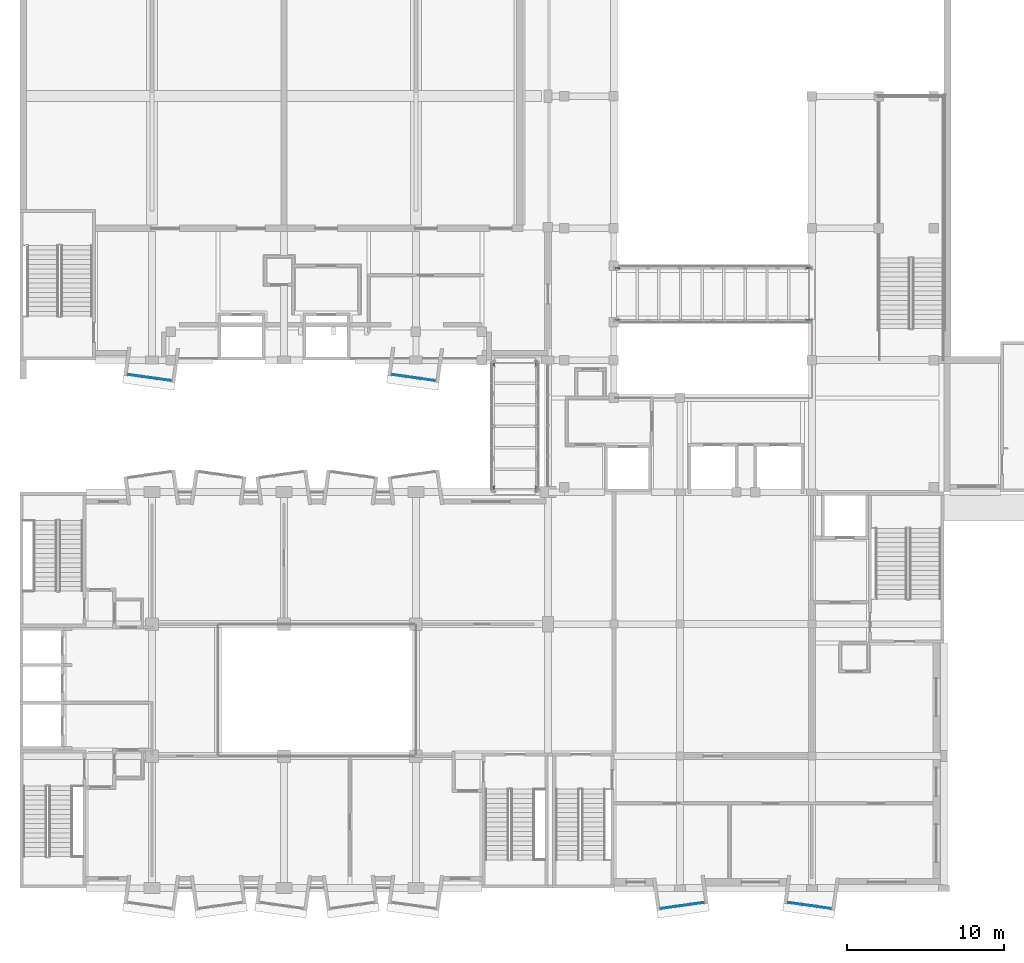
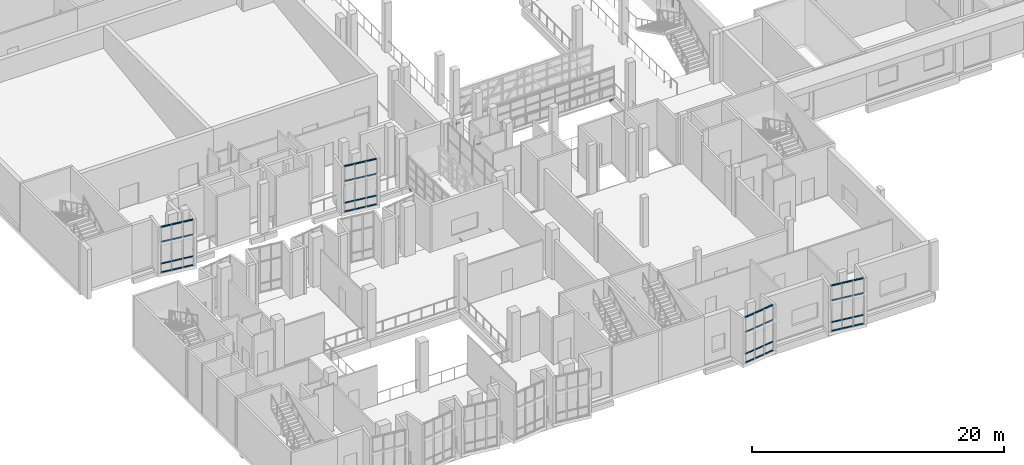
# One storey, part 27 of 86: 48 members, 8 beams, 4 elements without a shape of their own.
"""IFC4 building model written with IfcOpenShell, lengths in metres."""

from ifc_helpers import new_model, si_unit, direction, frame, origin, origin_2d, place, context, subcontext, project, spatial, rectangle, hollow_rectangle, extrude, material, layer, layer_set, material_profile, profile_set, type_object, element, aggregate, save


model = new_model("IFC4")

# Units and contexts
model_context = context("Model", 3, precision=1e-05, world=origin(), true_north=direction((0.0, 1.0)))
body_context = subcontext(model_context, "Body", "Model", "MODEL_VIEW")
ifc_project = project(units=[si_unit("LENGTHUNIT", "METRE"), si_unit("AREAUNIT", "SQUARE_METRE"), si_unit("VOLUMEUNIT", "CUBIC_METRE"), si_unit("PLANEANGLEUNIT", "RADIAN"), si_unit("MASSUNIT", "GRAM", prefix="KILO")], contexts=[model_context])

# Site, building, storey
site_placement = place(None, origin())
site = spatial("IfcSite", under=ifc_project, at=site_placement, CompositionType="ELEMENT")
building_placement = place(site_placement, origin())
building = spatial("IfcBuilding", under=site, at=building_placement, Name="Kiln Court Media Centre", CompositionType="ELEMENT")
storey_placement = place(building_placement, frame((0.0, 0.0, 10.199951171875)))
storey = spatial("IfcBuildingStorey", under=building, at=storey_placement, Name="L02", CompositionType="ELEMENT", Elevation=10.199951171875)

# Curtain wall, members
ifc_material_1 = material(Name="Aluminium 6063-T6", Category="aluminium")
ifc_layer = layer(ifc_material_1, 0.1201171875)
ifc_layer_set = layer_set([ifc_layer], Name="Aluminium unitised bay curtain wall")
curtain_wall_type = type_object("IfcCurtainWallType", Name="Aluminium unitised bay curtain wall", PredefinedType="USERDEFINED", material=ifc_layer_set)
curtain_wall_1_placement = place(storey_placement, origin())
curtain_wall_1 = element("IfcCurtainWall", 1, at=curtain_wall_1_placement, inside=storey, type_object=curtain_wall_type, Name="BAY V4-S-L02-10 front", ObjectType="UNITISED CURTAIN WALL", PredefinedType="USERDEFINED")
ifc_material_2 = material(Name="Aluminium 6063-T6", Category="aluminium")
ifc_material_profile_1 = material_profile(ifc_material_2, rectangle(XDim=0.06005859375, YDim=0.1201171875, at=origin_2d()), Name="Aluminium transom 60x120")
ifc_profile_set_1 = profile_set([ifc_material_profile_1], Name="Aluminium 6063-T6")
member_type = type_object("IfcMemberType", Name="Aluminium transom 60x120", PredefinedType="USERDEFINED", material=ifc_profile_set_1)
member_1_placement = place(storey_placement, frame((6.882568359375, 32.68212890625, 0.06005859375), z_axis=(0.990268108888, -0.139172815303, 0.0), x_axis=(0.139172815303, 0.990268108888, 0.0)))
member_1 = element("IfcMember", 2, at=member_1_placement, type_object=member_type, Name="CW2-01 transom 1.1", ObjectType="TRANSOM", PredefinedType="USERDEFINED", context=body_context, shape_type="SweptSolid", body=[
    extrude(rectangle(XDim=0.06005859375, YDim=0.1201171875, at=origin_2d()), origin(), (0.0, 0.0, 1.0), 0.86669921875),
])
member_2_placement = place(storey_placement, frame((6.882568359375, 32.68212890625, 0.900146484375), z_axis=(0.990268108888, -0.139172815303, 0.0), x_axis=(0.139172815303, 0.990268108888, 0.0)))
member_2 = element("IfcMember", 3, at=member_2_placement, type_object=member_type, Name="CW2-01 transom 1.2", ObjectType="TRANSOM", PredefinedType="USERDEFINED", context=body_context, shape_type="SweptSolid", body=[
    extrude(rectangle(XDim=0.06005859375, YDim=0.1201171875, at=origin_2d()), origin(), (0.0, 0.0, 1.0), 0.86669921875),
])
member_3_placement = place(storey_placement, frame((6.882568359375, 32.68212890625, 3.0), z_axis=(0.990268108888, -0.139172815303, 0.0), x_axis=(0.139172815303, 0.990268108888, 0.0)))
member_3 = element("IfcMember", 4, at=member_3_placement, type_object=member_type, Name="CW2-01 transom 1.3", ObjectType="TRANSOM", PredefinedType="USERDEFINED", context=body_context, shape_type="SweptSolid", body=[
    extrude(rectangle(XDim=0.06005859375, YDim=0.1201171875, at=origin_2d()), origin(), (0.0, 0.0, 1.0), 0.86669921875),
])
member_4_placement = place(storey_placement, frame((6.882568359375, 32.68212890625, 4.43994140625), z_axis=(0.990268108888, -0.139172815303, 0.0), x_axis=(0.139172815303, 0.990268108888, 0.0)))
member_4 = element("IfcMember", 5, at=member_4_placement, type_object=member_type, Name="CW2-01 transom 1.4", ObjectType="TRANSOM", PredefinedType="USERDEFINED", context=body_context, shape_type="SweptSolid", body=[
    extrude(rectangle(XDim=0.06005859375, YDim=0.1201171875, at=origin_2d()), origin(), (0.0, 0.0, 1.0), 0.86669921875),
])
member_5_placement = place(storey_placement, frame((7.80029296875, 32.55322265625, 0.06005859375), z_axis=(0.990273584723, -0.13913384707, 0.0), x_axis=(0.13913384707, 0.990273584723, 0.0)))
member_5 = element("IfcMember", 6, at=member_5_placement, type_object=member_type, Name="CW2-01 transom 2.1", ObjectType="TRANSOM", PredefinedType="USERDEFINED", context=body_context, shape_type="SweptSolid", body=[
    extrude(rectangle(XDim=0.06005859375, YDim=0.1201171875, at=origin_2d()), origin(), (0.0, 0.0, 1.0), 0.896728515625),
])
member_6_placement = place(storey_placement, frame((7.80029296875, 32.55322265625, 0.900146484375), z_axis=(0.990273584723, -0.13913384707, 0.0), x_axis=(0.13913384707, 0.990273584723, 0.0)))
member_6 = element("IfcMember", 7, at=member_6_placement, type_object=member_type, Name="CW2-01 transom 2.2", ObjectType="TRANSOM", PredefinedType="USERDEFINED", context=body_context, shape_type="SweptSolid", body=[
    extrude(rectangle(XDim=0.06005859375, YDim=0.1201171875, at=origin_2d()), origin(), (0.0, 0.0, 1.0), 0.896728515625),
])
member_7_placement = place(storey_placement, frame((7.80029296875, 32.55322265625, 3.0), z_axis=(0.990273584723, -0.13913384707, 0.0), x_axis=(0.13913384707, 0.990273584723, 0.0)))
member_7 = element("IfcMember", 8, at=member_7_placement, type_object=member_type, Name="CW2-01 transom 2.3", ObjectType="TRANSOM", PredefinedType="USERDEFINED", context=body_context, shape_type="SweptSolid", body=[
    extrude(rectangle(XDim=0.06005859375, YDim=0.1201171875, at=origin_2d()), origin(), (0.0, 0.0, 1.0), 0.896728515625),
])
member_8_placement = place(storey_placement, frame((7.80029296875, 32.55322265625, 4.43994140625), z_axis=(0.990273584723, -0.13913384707, 0.0), x_axis=(0.13913384707, 0.990273584723, 0.0)))
member_8 = element("IfcMember", 9, at=member_8_placement, type_object=member_type, Name="CW2-01 transom 2.4", ObjectType="TRANSOM", PredefinedType="USERDEFINED", context=body_context, shape_type="SweptSolid", body=[
    extrude(rectangle(XDim=0.06005859375, YDim=0.1201171875, at=origin_2d()), origin(), (0.0, 0.0, 1.0), 0.896728515625),
])
member_9_placement = place(storey_placement, frame((8.74755859375, 32.420166015625, 0.06005859375), z_axis=(0.990268108888, -0.139172815303, 0.0), x_axis=(0.139172815303, 0.990268108888, 0.0)))
member_9 = element("IfcMember", 10, at=member_9_placement, type_object=member_type, Name="CW2-01 transom 3.1", ObjectType="TRANSOM", PredefinedType="USERDEFINED", context=body_context, shape_type="SweptSolid", body=[
    extrude(rectangle(XDim=0.06005859375, YDim=0.1201171875, at=origin_2d()), origin(), (0.0, 0.0, 1.0), 0.86669921875),
])
member_10_placement = place(storey_placement, frame((8.74755859375, 32.420166015625, 0.900146484375), z_axis=(0.990268108888, -0.139172815303, 0.0), x_axis=(0.139172815303, 0.990268108888, 0.0)))
member_10 = element("IfcMember", 11, at=member_10_placement, type_object=member_type, Name="CW2-01 transom 3.2", ObjectType="TRANSOM", PredefinedType="USERDEFINED", context=body_context, shape_type="SweptSolid", body=[
    extrude(rectangle(XDim=0.06005859375, YDim=0.1201171875, at=origin_2d()), origin(), (0.0, 0.0, 1.0), 0.86669921875),
])
member_11_placement = place(storey_placement, frame((8.74755859375, 32.420166015625, 3.0), z_axis=(0.990268108888, -0.139172815303, 0.0), x_axis=(0.139172815303, 0.990268108888, 0.0)))
member_11 = element("IfcMember", 12, at=member_11_placement, type_object=member_type, Name="CW2-01 transom 3.3", ObjectType="TRANSOM", PredefinedType="USERDEFINED", context=body_context, shape_type="SweptSolid", body=[
    extrude(rectangle(XDim=0.06005859375, YDim=0.1201171875, at=origin_2d()), origin(), (0.0, 0.0, 1.0), 0.86669921875),
])
member_12_placement = place(storey_placement, frame((8.74755859375, 32.420166015625, 4.43994140625), z_axis=(0.990268108888, -0.139172815303, 0.0), x_axis=(0.139172815303, 0.990268108888, 0.0)))
member_12 = element("IfcMember", 13, at=member_12_placement, type_object=member_type, Name="CW2-01 transom 3.4", ObjectType="TRANSOM", PredefinedType="USERDEFINED", context=body_context, shape_type="SweptSolid", body=[
    extrude(rectangle(XDim=0.06005859375, YDim=0.1201171875, at=origin_2d()), origin(), (0.0, 0.0, 1.0), 0.86669921875),
])
aggregate(curtain_wall_1, [member_1, member_2, member_3, member_4, member_5, member_6, member_7, member_8, member_9, member_10, member_11, member_12])

curtain_wall_2_placement = place(storey_placement, origin())
curtain_wall_2 = element("IfcCurtainWall", 14, at=curtain_wall_2_placement, inside=storey, type_object=curtain_wall_type, Name="BAY V4-S-L02-14 front", ObjectType="UNITISED CURTAIN WALL", PredefinedType="USERDEFINED")
member_13_placement = place(storey_placement, frame((23.6826171875, 32.68212890625, 0.06005859375), z_axis=(0.990268108888, -0.139172815303, 0.0), x_axis=(0.139172815303, 0.990268108888, 0.0)))
member_13 = element("IfcMember", 15, at=member_13_placement, type_object=member_type, Name="CW2-02 transom 1.1", ObjectType="TRANSOM", PredefinedType="USERDEFINED", context=body_context, shape_type="SweptSolid", body=[
    extrude(rectangle(XDim=0.06005859375, YDim=0.1201171875, at=origin_2d()), origin(), (0.0, 0.0, 1.0), 0.86669921875),
])
member_14_placement = place(storey_placement, frame((23.6826171875, 32.68212890625, 0.900146484375), z_axis=(0.990268108888, -0.139172815303, 0.0), x_axis=(0.139172815303, 0.990268108888, 0.0)))
member_14 = element("IfcMember", 16, at=member_14_placement, type_object=member_type, Name="CW2-02 transom 1.2", ObjectType="TRANSOM", PredefinedType="USERDEFINED", context=body_context, shape_type="SweptSolid", body=[
    extrude(rectangle(XDim=0.06005859375, YDim=0.1201171875, at=origin_2d()), origin(), (0.0, 0.0, 1.0), 0.86669921875),
])
member_15_placement = place(storey_placement, frame((23.6826171875, 32.68212890625, 3.0), z_axis=(0.990268108888, -0.139172815303, 0.0), x_axis=(0.139172815303, 0.990268108888, 0.0)))
member_15 = element("IfcMember", 17, at=member_15_placement, type_object=member_type, Name="CW2-02 transom 1.3", ObjectType="TRANSOM", PredefinedType="USERDEFINED", context=body_context, shape_type="SweptSolid", body=[
    extrude(rectangle(XDim=0.06005859375, YDim=0.1201171875, at=origin_2d()), origin(), (0.0, 0.0, 1.0), 0.86669921875),
])
member_16_placement = place(storey_placement, frame((23.6826171875, 32.68212890625, 4.43994140625), z_axis=(0.990268108888, -0.139172815303, 0.0), x_axis=(0.139172815303, 0.990268108888, 0.0)))
member_16 = element("IfcMember", 18, at=member_16_placement, type_object=member_type, Name="CW2-02 transom 1.4", ObjectType="TRANSOM", PredefinedType="USERDEFINED", context=body_context, shape_type="SweptSolid", body=[
    extrude(rectangle(XDim=0.06005859375, YDim=0.1201171875, at=origin_2d()), origin(), (0.0, 0.0, 1.0), 0.86669921875),
])
member_17_placement = place(storey_placement, frame((24.60009765625, 32.55322265625, 0.06005859375), z_axis=(0.990273584723, -0.13913384707, 0.0), x_axis=(0.13913384707, 0.990273584723, 0.0)))
member_17 = element("IfcMember", 19, at=member_17_placement, type_object=member_type, Name="CW2-02 transom 2.1", ObjectType="TRANSOM", PredefinedType="USERDEFINED", context=body_context, shape_type="SweptSolid", body=[
    extrude(rectangle(XDim=0.06005859375, YDim=0.1201171875, at=origin_2d()), origin(), (0.0, 0.0, 1.0), 0.896728515625),
])
member_18_placement = place(storey_placement, frame((24.60009765625, 32.55322265625, 0.900146484375), z_axis=(0.990273584723, -0.13913384707, 0.0), x_axis=(0.13913384707, 0.990273584723, 0.0)))
member_18 = element("IfcMember", 20, at=member_18_placement, type_object=member_type, Name="CW2-02 transom 2.2", ObjectType="TRANSOM", PredefinedType="USERDEFINED", context=body_context, shape_type="SweptSolid", body=[
    extrude(rectangle(XDim=0.06005859375, YDim=0.1201171875, at=origin_2d()), origin(), (0.0, 0.0, 1.0), 0.896728515625),
])
member_19_placement = place(storey_placement, frame((24.60009765625, 32.55322265625, 3.0), z_axis=(0.990273584723, -0.13913384707, 0.0), x_axis=(0.13913384707, 0.990273584723, 0.0)))
member_19 = element("IfcMember", 21, at=member_19_placement, type_object=member_type, Name="CW2-02 transom 2.3", ObjectType="TRANSOM", PredefinedType="USERDEFINED", context=body_context, shape_type="SweptSolid", body=[
    extrude(rectangle(XDim=0.06005859375, YDim=0.1201171875, at=origin_2d()), origin(), (0.0, 0.0, 1.0), 0.896728515625),
])
member_20_placement = place(storey_placement, frame((24.60009765625, 32.55322265625, 4.43994140625), z_axis=(0.990273584723, -0.13913384707, 0.0), x_axis=(0.13913384707, 0.990273584723, 0.0)))
member_20 = element("IfcMember", 22, at=member_20_placement, type_object=member_type, Name="CW2-02 transom 2.4", ObjectType="TRANSOM", PredefinedType="USERDEFINED", context=body_context, shape_type="SweptSolid", body=[
    extrude(rectangle(XDim=0.06005859375, YDim=0.1201171875, at=origin_2d()), origin(), (0.0, 0.0, 1.0), 0.896728515625),
])
member_21_placement = place(storey_placement, frame((25.547607421875, 32.420166015625, 0.06005859375), z_axis=(0.990268108888, -0.139172815303, 0.0), x_axis=(0.139172815303, 0.990268108888, 0.0)))
member_21 = element("IfcMember", 23, at=member_21_placement, type_object=member_type, Name="CW2-02 transom 3.1", ObjectType="TRANSOM", PredefinedType="USERDEFINED", context=body_context, shape_type="SweptSolid", body=[
    extrude(rectangle(XDim=0.06005859375, YDim=0.1201171875, at=origin_2d()), origin(), (0.0, 0.0, 1.0), 0.86669921875),
])
member_22_placement = place(storey_placement, frame((25.547607421875, 32.420166015625, 0.900146484375), z_axis=(0.990268108888, -0.139172815303, 0.0), x_axis=(0.139172815303, 0.990268108888, 0.0)))
member_22 = element("IfcMember", 24, at=member_22_placement, type_object=member_type, Name="CW2-02 transom 3.2", ObjectType="TRANSOM", PredefinedType="USERDEFINED", context=body_context, shape_type="SweptSolid", body=[
    extrude(rectangle(XDim=0.06005859375, YDim=0.1201171875, at=origin_2d()), origin(), (0.0, 0.0, 1.0), 0.86669921875),
])
member_23_placement = place(storey_placement, frame((25.547607421875, 32.420166015625, 3.0), z_axis=(0.990268108888, -0.139172815303, 0.0), x_axis=(0.139172815303, 0.990268108888, 0.0)))
member_23 = element("IfcMember", 25, at=member_23_placement, type_object=member_type, Name="CW2-02 transom 3.3", ObjectType="TRANSOM", PredefinedType="USERDEFINED", context=body_context, shape_type="SweptSolid", body=[
    extrude(rectangle(XDim=0.06005859375, YDim=0.1201171875, at=origin_2d()), origin(), (0.0, 0.0, 1.0), 0.86669921875),
])
member_24_placement = place(storey_placement, frame((25.547607421875, 32.420166015625, 4.43994140625), z_axis=(0.990268108888, -0.139172815303, 0.0), x_axis=(0.139172815303, 0.990268108888, 0.0)))
member_24 = element("IfcMember", 26, at=member_24_placement, type_object=member_type, Name="CW2-02 transom 3.4", ObjectType="TRANSOM", PredefinedType="USERDEFINED", context=body_context, shape_type="SweptSolid", body=[
    extrude(rectangle(XDim=0.06005859375, YDim=0.1201171875, at=origin_2d()), origin(), (0.0, 0.0, 1.0), 0.86669921875),
])
aggregate(curtain_wall_2, [member_13, member_14, member_15, member_16, member_17, member_18, member_19, member_20, member_21, member_22, member_23, member_24])

curtain_wall_3_placement = place(storey_placement, origin())
curtain_wall_3 = element("IfcCurtainWall", 27, at=curtain_wall_3_placement, inside=storey, type_object=curtain_wall_type, Name="BAY V6B-S-L02-04 front", ObjectType="UNITISED CURTAIN WALL", PredefinedType="USERDEFINED")
member_25_placement = place(storey_placement, frame((40.794189453125, -1.300537109375, 0.06005859375), z_axis=(0.990268108888, 0.139172815303, 0.0), x_axis=(-0.139172815303, 0.990268108888, 0.0)))
member_25 = element("IfcMember", 28, at=member_25_placement, type_object=member_type, Name="CW2-13 transom 1.1", ObjectType="TRANSOM", PredefinedType="USERDEFINED", context=body_context, shape_type="SweptSolid", body=[
    extrude(rectangle(XDim=0.06005859375, YDim=0.1201171875, at=origin_2d()), origin(), (0.0, 0.0, 1.0), 0.86669921875),
])
member_26_placement = place(storey_placement, frame((40.794189453125, -1.300537109375, 0.900146484375), z_axis=(0.990268108888, 0.139172815303, 0.0), x_axis=(-0.139172815303, 0.990268108888, 0.0)))
member_26 = element("IfcMember", 29, at=member_26_placement, type_object=member_type, Name="CW2-13 transom 1.2", ObjectType="TRANSOM", PredefinedType="USERDEFINED", context=body_context, shape_type="SweptSolid", body=[
    extrude(rectangle(XDim=0.06005859375, YDim=0.1201171875, at=origin_2d()), origin(), (0.0, 0.0, 1.0), 0.86669921875),
])
member_27_placement = place(storey_placement, frame((40.794189453125, -1.300537109375, 3.0), z_axis=(0.990268108888, 0.139172815303, 0.0), x_axis=(-0.139172815303, 0.990268108888, 0.0)))
member_27 = element("IfcMember", 30, at=member_27_placement, type_object=member_type, Name="CW2-13 transom 1.3", ObjectType="TRANSOM", PredefinedType="USERDEFINED", context=body_context, shape_type="SweptSolid", body=[
    extrude(rectangle(XDim=0.06005859375, YDim=0.1201171875, at=origin_2d()), origin(), (0.0, 0.0, 1.0), 0.86669921875),
])
member_28_placement = place(storey_placement, frame((40.794189453125, -1.300537109375, 4.43994140625), z_axis=(0.990268108888, 0.139172815303, 0.0), x_axis=(-0.139172815303, 0.990268108888, 0.0)))
member_28 = element("IfcMember", 31, at=member_28_placement, type_object=member_type, Name="CW2-13 transom 1.4", ObjectType="TRANSOM", PredefinedType="USERDEFINED", context=body_context, shape_type="SweptSolid", body=[
    extrude(rectangle(XDim=0.06005859375, YDim=0.1201171875, at=origin_2d()), origin(), (0.0, 0.0, 1.0), 0.86669921875),
])
member_29_placement = place(storey_placement, frame((41.7119140625, -1.17138671875, 0.06005859375), z_axis=(0.990273584723, 0.13913384707, 0.0), x_axis=(-0.13913384707, 0.990273584723, 0.0)))
member_29 = element("IfcMember", 32, at=member_29_placement, type_object=member_type, Name="CW2-13 transom 2.1", ObjectType="TRANSOM", PredefinedType="USERDEFINED", context=body_context, shape_type="SweptSolid", body=[
    extrude(rectangle(XDim=0.06005859375, YDim=0.1201171875, at=origin_2d()), origin(), (0.0, 0.0, 1.0), 0.896728515625),
])
member_30_placement = place(storey_placement, frame((41.7119140625, -1.17138671875, 0.900146484375), z_axis=(0.990273584723, 0.13913384707, 0.0), x_axis=(-0.13913384707, 0.990273584723, 0.0)))
member_30 = element("IfcMember", 33, at=member_30_placement, type_object=member_type, Name="CW2-13 transom 2.2", ObjectType="TRANSOM", PredefinedType="USERDEFINED", context=body_context, shape_type="SweptSolid", body=[
    extrude(rectangle(XDim=0.06005859375, YDim=0.1201171875, at=origin_2d()), origin(), (0.0, 0.0, 1.0), 0.896728515625),
])
member_31_placement = place(storey_placement, frame((41.7119140625, -1.17138671875, 3.0), z_axis=(0.990273584723, 0.13913384707, 0.0), x_axis=(-0.13913384707, 0.990273584723, 0.0)))
member_31 = element("IfcMember", 34, at=member_31_placement, type_object=member_type, Name="CW2-13 transom 2.3", ObjectType="TRANSOM", PredefinedType="USERDEFINED", context=body_context, shape_type="SweptSolid", body=[
    extrude(rectangle(XDim=0.06005859375, YDim=0.1201171875, at=origin_2d()), origin(), (0.0, 0.0, 1.0), 0.896728515625),
])
member_32_placement = place(storey_placement, frame((41.7119140625, -1.17138671875, 4.43994140625), z_axis=(0.990273584723, 0.13913384707, 0.0), x_axis=(-0.13913384707, 0.990273584723, 0.0)))
member_32 = element("IfcMember", 35, at=member_32_placement, type_object=member_type, Name="CW2-13 transom 2.4", ObjectType="TRANSOM", PredefinedType="USERDEFINED", context=body_context, shape_type="SweptSolid", body=[
    extrude(rectangle(XDim=0.06005859375, YDim=0.1201171875, at=origin_2d()), origin(), (0.0, 0.0, 1.0), 0.896728515625),
])
member_33_placement = place(storey_placement, frame((42.6591796875, -1.038330078125, 0.06005859375), z_axis=(0.990273563383, 0.139133998951, 0.0), x_axis=(-0.139133998951, 0.990273563383, 0.0)))
member_33 = element("IfcMember", 36, at=member_33_placement, type_object=member_type, Name="CW2-13 transom 3.1", ObjectType="TRANSOM", PredefinedType="USERDEFINED", context=body_context, shape_type="SweptSolid", body=[
    extrude(rectangle(XDim=0.06005859375, YDim=0.1201171875, at=origin_2d()), origin(), (0.0, 0.0, 1.0), 0.866943359375),
])
member_34_placement = place(storey_placement, frame((42.6591796875, -1.038330078125, 0.900146484375), z_axis=(0.990273563383, 0.139133998951, 0.0), x_axis=(-0.139133998951, 0.990273563383, 0.0)))
member_34 = element("IfcMember", 37, at=member_34_placement, type_object=member_type, Name="CW2-13 transom 3.2", ObjectType="TRANSOM", PredefinedType="USERDEFINED", context=body_context, shape_type="SweptSolid", body=[
    extrude(rectangle(XDim=0.06005859375, YDim=0.1201171875, at=origin_2d()), origin(), (0.0, 0.0, 1.0), 0.866943359375),
])
member_35_placement = place(storey_placement, frame((42.6591796875, -1.038330078125, 3.0), z_axis=(0.990273563383, 0.139133998951, 0.0), x_axis=(-0.139133998951, 0.990273563383, 0.0)))
member_35 = element("IfcMember", 38, at=member_35_placement, type_object=member_type, Name="CW2-13 transom 3.3", ObjectType="TRANSOM", PredefinedType="USERDEFINED", context=body_context, shape_type="SweptSolid", body=[
    extrude(rectangle(XDim=0.06005859375, YDim=0.1201171875, at=origin_2d()), origin(), (0.0, 0.0, 1.0), 0.866943359375),
])
member_36_placement = place(storey_placement, frame((42.6591796875, -1.038330078125, 4.43994140625), z_axis=(0.990273563383, 0.139133998951, 0.0), x_axis=(-0.139133998951, 0.990273563383, 0.0)))
member_36 = element("IfcMember", 39, at=member_36_placement, type_object=member_type, Name="CW2-13 transom 3.4", ObjectType="TRANSOM", PredefinedType="USERDEFINED", context=body_context, shape_type="SweptSolid", body=[
    extrude(rectangle(XDim=0.06005859375, YDim=0.1201171875, at=origin_2d()), origin(), (0.0, 0.0, 1.0), 0.866943359375),
])
aggregate(curtain_wall_3, [member_25, member_26, member_27, member_28, member_29, member_30, member_31, member_32, member_33, member_34, member_35, member_36])

curtain_wall_4_placement = place(storey_placement, origin())
curtain_wall_4 = element("IfcCurtainWall", 40, at=curtain_wall_4_placement, inside=storey, type_object=curtain_wall_type, Name="BAY V6B-S-L02-05 front", ObjectType="UNITISED CURTAIN WALL", PredefinedType="USERDEFINED")
member_37_placement = place(storey_placement, frame((48.882568359375, -0.917724609375, 0.06005859375), z_axis=(0.990268108888, -0.139172815303, 0.0), x_axis=(0.139172815303, 0.990268108888, 0.0)))
member_37 = element("IfcMember", 41, at=member_37_placement, type_object=member_type, Name="CW2-14 transom 1.1", ObjectType="TRANSOM", PredefinedType="USERDEFINED", context=body_context, shape_type="SweptSolid", body=[
    extrude(rectangle(XDim=0.06005859375, YDim=0.1201171875, at=origin_2d()), origin(), (0.0, 0.0, 1.0), 0.86669921875),
])
member_38_placement = place(storey_placement, frame((48.882568359375, -0.917724609375, 0.900146484375), z_axis=(0.990268108888, -0.139172815303, 0.0), x_axis=(0.139172815303, 0.990268108888, 0.0)))
member_38 = element("IfcMember", 42, at=member_38_placement, type_object=member_type, Name="CW2-14 transom 1.2", ObjectType="TRANSOM", PredefinedType="USERDEFINED", context=body_context, shape_type="SweptSolid", body=[
    extrude(rectangle(XDim=0.06005859375, YDim=0.1201171875, at=origin_2d()), origin(), (0.0, 0.0, 1.0), 0.86669921875),
])
member_39_placement = place(storey_placement, frame((48.882568359375, -0.917724609375, 3.0), z_axis=(0.990268108888, -0.139172815303, 0.0), x_axis=(0.139172815303, 0.990268108888, 0.0)))
member_39 = element("IfcMember", 43, at=member_39_placement, type_object=member_type, Name="CW2-14 transom 1.3", ObjectType="TRANSOM", PredefinedType="USERDEFINED", context=body_context, shape_type="SweptSolid", body=[
    extrude(rectangle(XDim=0.06005859375, YDim=0.1201171875, at=origin_2d()), origin(), (0.0, 0.0, 1.0), 0.86669921875),
])
member_40_placement = place(storey_placement, frame((48.882568359375, -0.917724609375, 4.43994140625), z_axis=(0.990268108888, -0.139172815303, 0.0), x_axis=(0.139172815303, 0.990268108888, 0.0)))
member_40 = element("IfcMember", 44, at=member_40_placement, type_object=member_type, Name="CW2-14 transom 1.4", ObjectType="TRANSOM", PredefinedType="USERDEFINED", context=body_context, shape_type="SweptSolid", body=[
    extrude(rectangle(XDim=0.06005859375, YDim=0.1201171875, at=origin_2d()), origin(), (0.0, 0.0, 1.0), 0.86669921875),
])
member_41_placement = place(storey_placement, frame((49.80029296875, -1.046630859375, 0.06005859375), z_axis=(0.990273584723, -0.13913384707, 0.0), x_axis=(0.13913384707, 0.990273584723, 0.0)))
member_41 = element("IfcMember", 45, at=member_41_placement, type_object=member_type, Name="CW2-14 transom 2.1", ObjectType="TRANSOM", PredefinedType="USERDEFINED", context=body_context, shape_type="SweptSolid", body=[
    extrude(rectangle(XDim=0.06005859375, YDim=0.1201171875, at=origin_2d()), origin(), (0.0, 0.0, 1.0), 0.896728515625),
])
member_42_placement = place(storey_placement, frame((49.80029296875, -1.046630859375, 0.900146484375), z_axis=(0.990273584723, -0.13913384707, 0.0), x_axis=(0.13913384707, 0.990273584723, 0.0)))
member_42 = element("IfcMember", 46, at=member_42_placement, type_object=member_type, Name="CW2-14 transom 2.2", ObjectType="TRANSOM", PredefinedType="USERDEFINED", context=body_context, shape_type="SweptSolid", body=[
    extrude(rectangle(XDim=0.06005859375, YDim=0.1201171875, at=origin_2d()), origin(), (0.0, 0.0, 1.0), 0.896728515625),
])
member_43_placement = place(storey_placement, frame((49.80029296875, -1.046630859375, 3.0), z_axis=(0.990273584723, -0.13913384707, 0.0), x_axis=(0.13913384707, 0.990273584723, 0.0)))
member_43 = element("IfcMember", 47, at=member_43_placement, type_object=member_type, Name="CW2-14 transom 2.3", ObjectType="TRANSOM", PredefinedType="USERDEFINED", context=body_context, shape_type="SweptSolid", body=[
    extrude(rectangle(XDim=0.06005859375, YDim=0.1201171875, at=origin_2d()), origin(), (0.0, 0.0, 1.0), 0.896728515625),
])
member_44_placement = place(storey_placement, frame((49.80029296875, -1.046630859375, 4.43994140625), z_axis=(0.990273584723, -0.13913384707, 0.0), x_axis=(0.13913384707, 0.990273584723, 0.0)))
member_44 = element("IfcMember", 48, at=member_44_placement, type_object=member_type, Name="CW2-14 transom 2.4", ObjectType="TRANSOM", PredefinedType="USERDEFINED", context=body_context, shape_type="SweptSolid", body=[
    extrude(rectangle(XDim=0.06005859375, YDim=0.1201171875, at=origin_2d()), origin(), (0.0, 0.0, 1.0), 0.896728515625),
])
member_45_placement = place(storey_placement, frame((50.74755859375, -1.179931640625, 0.06005859375), z_axis=(0.990268108888, -0.139172815303, 0.0), x_axis=(0.139172815303, 0.990268108888, 0.0)))
member_45 = element("IfcMember", 49, at=member_45_placement, type_object=member_type, Name="CW2-14 transom 3.1", ObjectType="TRANSOM", PredefinedType="USERDEFINED", context=body_context, shape_type="SweptSolid", body=[
    extrude(rectangle(XDim=0.06005859375, YDim=0.1201171875, at=origin_2d()), origin(), (0.0, 0.0, 1.0), 0.86669921875),
])
member_46_placement = place(storey_placement, frame((50.74755859375, -1.179931640625, 0.900146484375), z_axis=(0.990268108888, -0.139172815303, 0.0), x_axis=(0.139172815303, 0.990268108888, 0.0)))
member_46 = element("IfcMember", 50, at=member_46_placement, type_object=member_type, Name="CW2-14 transom 3.2", ObjectType="TRANSOM", PredefinedType="USERDEFINED", context=body_context, shape_type="SweptSolid", body=[
    extrude(rectangle(XDim=0.06005859375, YDim=0.1201171875, at=origin_2d()), origin(), (0.0, 0.0, 1.0), 0.86669921875),
])
member_47_placement = place(storey_placement, frame((50.74755859375, -1.179931640625, 3.0), z_axis=(0.990268108888, -0.139172815303, 0.0), x_axis=(0.139172815303, 0.990268108888, 0.0)))
member_47 = element("IfcMember", 51, at=member_47_placement, type_object=member_type, Name="CW2-14 transom 3.3", ObjectType="TRANSOM", PredefinedType="USERDEFINED", context=body_context, shape_type="SweptSolid", body=[
    extrude(rectangle(XDim=0.06005859375, YDim=0.1201171875, at=origin_2d()), origin(), (0.0, 0.0, 1.0), 0.86669921875),
])
member_48_placement = place(storey_placement, frame((50.74755859375, -1.179931640625, 4.43994140625), z_axis=(0.990268108888, -0.139172815303, 0.0), x_axis=(0.139172815303, 0.990268108888, 0.0)))
member_48 = element("IfcMember", 52, at=member_48_placement, type_object=member_type, Name="CW2-14 transom 3.4", ObjectType="TRANSOM", PredefinedType="USERDEFINED", context=body_context, shape_type="SweptSolid", body=[
    extrude(rectangle(XDim=0.06005859375, YDim=0.1201171875, at=origin_2d()), origin(), (0.0, 0.0, 1.0), 0.86669921875),
])
aggregate(curtain_wall_4, [member_37, member_38, member_39, member_40, member_41, member_42, member_43, member_44, member_45, member_46, member_47, member_48])

# Beams
ifc_material_3 = material(Name="Steel ASTM A500 Gr C", Category="steel")
ifc_material_profile_2 = material_profile(ifc_material_3, hollow_rectangle(XDim=0.10009765625, YDim=0.14990234375, WallThickness=0.008056640625, at=origin_2d()), Name="RHS 150x100x8.0")
ifc_profile_set_2 = profile_set([ifc_material_profile_2], Name="Steel ASTM A500 Gr C")
beam_type = type_object("IfcBeamType", Name="Steel ASTM A500 Gr C RHS 150x100x8.0 bridge bearing seat beam", PredefinedType="BEAM", material=ifc_profile_set_2)
for number, where, z_axis, x_axis, name in (
    (53, (30.14990234375, 25.196044921875, -0.494873046875), (0.0, 1.0, 0.0), (-1.0, 0.0, 0.0), "bridge BR-1 side truss 1 end 1 bridge bearing seat beam"),
    (54, (30.14990234375, 33.60400390625, -0.494873046875), (0.0, -1.0, 0.0), (1.0, 0.0, 0.0), "bridge BR-1 side truss 1 end 2 bridge bearing seat beam"),
    (55, (32.85009765625, 25.196044921875, -0.494873046875), (0.0, 1.0, 0.0), (-1.0, 0.0, 0.0), "bridge BR-1 side truss 2 end 1 bridge bearing seat beam"),
    (56, (32.85009765625, 33.60400390625, -0.494873046875), (0.0, -1.0, 0.0), (1.0, 0.0, 0.0), "bridge BR-1 side truss 2 end 2 bridge bearing seat beam"),
    (57, (37.7958984375, 36.14990234375, -0.494873046875), (1.0, 0.0, 0.0), (0.0, 1.0, 0.0), "bridge BR-L02-FOY-11 side truss 1 end 1 bridge bearing seat beam"),
    (58, (50.404052734375, 36.14990234375, -0.494873046875), (-1.0, 0.0, 0.0), (0.0, -1.0, 0.0), "bridge BR-L02-FOY-11 side truss 1 end 2 bridge bearing seat beam"),
    (59, (37.7958984375, 39.449951171875, -0.494873046875), (1.0, 0.0, 0.0), (0.0, 1.0, 0.0), "bridge BR-L02-FOY-11 side truss 2 end 1 bridge bearing seat beam"),
    (60, (50.404052734375, 39.449951171875, -0.494873046875), (-1.0, 0.0, 0.0), (0.0, -1.0, 0.0), "bridge BR-L02-FOY-11 side truss 2 end 2 bridge bearing seat beam"),
):
    element("IfcBeam", number, at=place(storey_placement, frame(where, z_axis=z_axis, x_axis=x_axis)), inside=storey, type_object=beam_type, Name=name, PredefinedType="BEAM", context=body_context, shape_type="SweptSolid", body=[
        extrude(hollow_rectangle(XDim=0.10009765625, YDim=0.14990234375, WallThickness=0.008056640625, at=origin_2d()), origin(), (0.0, 0.0, 1.0), 0.404052734375),
    ])

save(model, "model.ifc")
